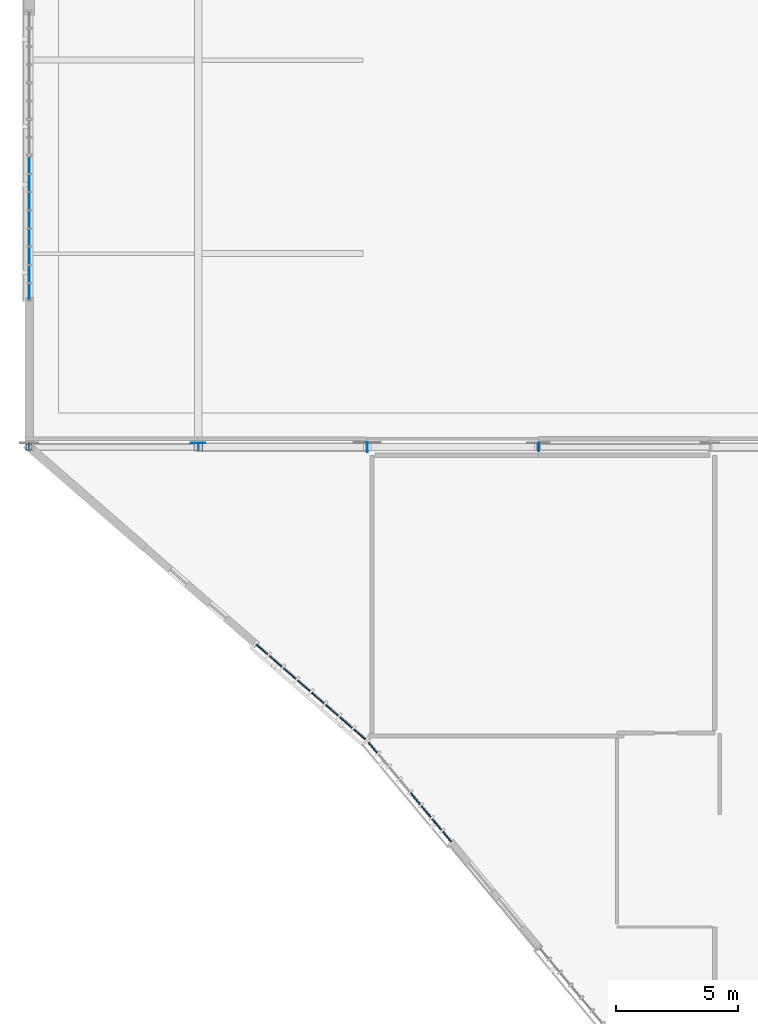
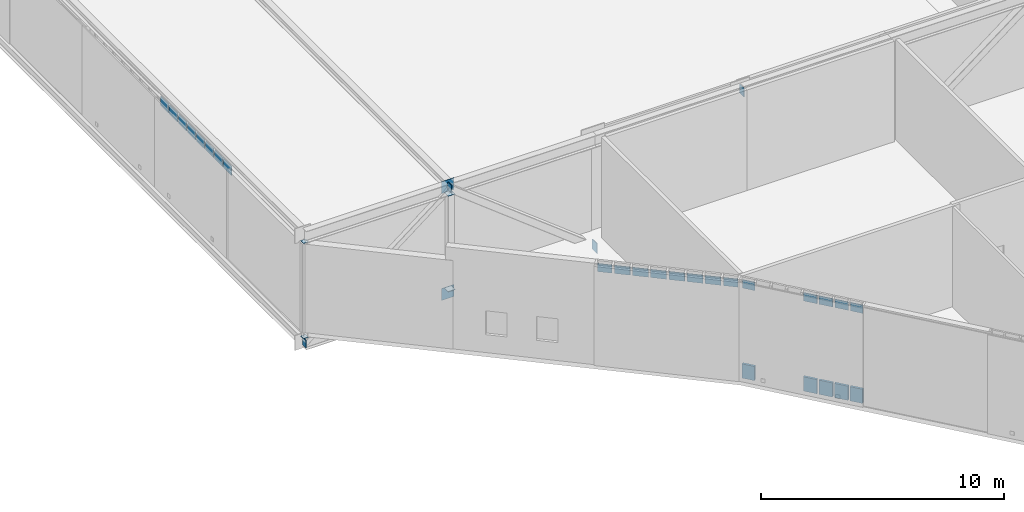
# One storey, part 92 of 135: 36 plates, 3 elements without a shape of their own.
"""IFC4 building model written with IfcOpenShell, lengths in metres."""

from ifc_helpers import new_model, si_unit, direction, frame, origin, origin_2d, place, context, subcontext, project, spatial, rectangle, extrude, material, layer, layer_set, type_object, element, aggregate, save


model = new_model("IFC4")

# Units and contexts
model_context = context("Model", 3, precision=1e-05, world=origin(), true_north=direction((0.0, 1.0)))
body_context = subcontext(model_context, "Body", "Model", "MODEL_VIEW")
ifc_project = project(units=[si_unit("LENGTHUNIT", "METRE"), si_unit("AREAUNIT", "SQUARE_METRE"), si_unit("VOLUMEUNIT", "CUBIC_METRE"), si_unit("PLANEANGLEUNIT", "RADIAN"), si_unit("MASSUNIT", "GRAM", prefix="KILO")], contexts=[model_context])

# Site, building, storey
site_placement = place(None, origin())
site = spatial("IfcSite", under=ifc_project, at=site_placement, CompositionType="ELEMENT")
building_placement = place(site_placement, origin())
building = spatial("IfcBuilding", under=site, at=building_placement, Name="Larkvane Passage Sports Hall", CompositionType="ELEMENT")
storey_placement = place(building_placement, frame((0.0, 0.0, 16.800048828125)))
storey = spatial("IfcBuildingStorey", under=building, at=storey_placement, Name="L03", CompositionType="ELEMENT", Elevation=16.800048828125)

# Curtain wall, plates
ifc_material_1 = material(Name="Thermally broken aluminium and low-E glazing", Category="aluminium")
curtain_wall_type_1 = type_object("IfcCurtainWallType", Name="CW-STICK-FOYER", PredefinedType="USERDEFINED", material=ifc_material_1)
curtain_wall_1_placement = place(storey_placement, origin())
curtain_wall_1 = element("IfcCurtainWall", 1, at=curtain_wall_1_placement, inside=storey, type_object=curtain_wall_type_1, Name="Curtain wall CW5-L03-130", ObjectType="STICK CURTAIN WALL", PredefinedType="USERDEFINED")
ifc_material_2 = material(Name="Fire-stopped shadow-box spandrel panel")
ifc_layer_1 = layer(ifc_material_2, 0.10498046875)
ifc_layer_set_1 = layer_set([ifc_layer_1], Name="Fire-stopped shadow-box spandrel panel")
plate_type_1 = type_object("IfcPlateType", Name="CWP-SPD-105", PredefinedType="CURTAIN_PANEL", material=ifc_layer_set_1)
plate_1_placement = place(storey_placement, frame((17.06689453125, 35.6796875, 0.08984375), z_axis=(0.0, 0.0, 1.0), x_axis=(-0.640184399661, 0.7682212796, 0.0)))
plate_1 = element("IfcPlate", 2, at=plate_1_placement, type_object=plate_type_1, Name="CW-03 panel 1.1", PredefinedType="CURTAIN_PANEL", context=body_context, shape_type="SweptSolid", body=[
    extrude(rectangle(XDim=0.54833984375, YDim=0.10498046875, at=origin_2d()), origin(), (0.0, 0.0, 1.0), 0.715087890625),
])
plate_2_placement = place(storey_placement, frame((16.643798828125, 36.1875, 0.08984375), z_axis=(0.0, 0.0, 1.0), x_axis=(-0.640184399661, 0.7682212796, 0.0)))
plate_2 = element("IfcPlate", 3, at=plate_2_placement, type_object=plate_type_1, Name="CW-03 panel 2.1", PredefinedType="CURTAIN_PANEL", context=body_context, shape_type="SweptSolid", body=[
    extrude(rectangle(XDim=0.593505859375, YDim=0.10498046875, at=origin_2d()), origin(), (0.0, 0.0, 1.0), 0.715087890625),
])
plate_3_placement = place(storey_placement, frame((16.206298828125, 36.71240234375, 0.08984375), z_axis=(0.0, 0.0, 1.0), x_axis=(-0.640184399661, 0.7682212796, 0.0)))
plate_3 = element("IfcPlate", 4, at=plate_3_placement, type_object=plate_type_1, Name="CW-03 panel 3.1", PredefinedType="CURTAIN_PANEL", context=body_context, shape_type="SweptSolid", body=[
    extrude(rectangle(XDim=0.593505859375, YDim=0.10498046875, at=origin_2d()), origin(), (0.0, 0.0, 1.0), 0.715087890625),
])
plate_4_placement = place(storey_placement, frame((15.768798828125, 37.237548828125, 0.08984375), z_axis=(0.0, 0.0, 1.0), x_axis=(-0.640184399661, 0.7682212796, 0.0)))
plate_4 = element("IfcPlate", 5, at=plate_4_placement, type_object=plate_type_1, Name="CW-03 panel 4.1", PredefinedType="CURTAIN_PANEL", context=body_context, shape_type="SweptSolid", body=[
    extrude(rectangle(XDim=0.593505859375, YDim=0.10498046875, at=origin_2d()), origin(), (0.0, 0.0, 1.0), 0.715087890625),
])
plate_5_placement = place(storey_placement, frame((14.033203125, 39.3203125, 0.08984375), z_axis=(0.0, 0.0, 1.0), x_axis=(-0.640184399661, 0.7682212796, 0.0)))
plate_5 = element("IfcPlate", 6, at=plate_5_placement, type_object=plate_type_1, Name="CW-03 panel 8.1", PredefinedType="CURTAIN_PANEL", context=body_context, shape_type="SweptSolid", body=[
    extrude(rectangle(XDim=0.54833984375, YDim=0.10498046875, at=origin_2d()), origin(), (0.0, 0.0, 1.0), 0.715087890625),
])

curtain_wall_type_2 = type_object("IfcCurtainWallType", Name="CW-UNIT-COURT", PredefinedType="USERDEFINED", material=ifc_material_1)
curtain_wall_2_placement = place(storey_placement, origin())
curtain_wall_2 = element("IfcCurtainWall", 7, at=curtain_wall_2_placement, inside=storey, type_object=curtain_wall_type_2, Name="Curtain wall CW5-L03-132", ObjectType="UNITISED CURTAIN WALL", PredefinedType="USERDEFINED")
ifc_material_3 = material(Name="Solar-control low-E double glazing", Category="glass")
ifc_layer_2 = layer(ifc_material_3, 0.028076171875)
ifc_layer_set_2 = layer_set([ifc_layer_2], Name="Solar-control low-E double glazing")
plate_type_2 = type_object("IfcPlateType", Name="CWP-VIS-28", PredefinedType="CURTAIN_PANEL", material=ifc_layer_set_2)
plate_6_placement = place(storey_placement, frame((0.0, 57.936767578125, 4.1279296875), z_axis=(0.0, 0.0, 1.0), x_axis=(0.0, 1.0, 0.0)))
plate_6 = element("IfcPlate", 8, at=plate_6_placement, type_object=plate_type_2, Name="CW-01 panel 1.3", PredefinedType="CURTAIN_PANEL", context=body_context, shape_type="SweptSolid", body=[
    extrude(rectangle(XDim=0.65380859375, YDim=0.028076171875, at=origin_2d()), origin(), (0.0, 0.0, 1.0), 0.4599609375),
])
plate_7_placement = place(storey_placement, frame((0.0, 58.66552734375, 4.1279296875), z_axis=(0.0, 0.0, 1.0), x_axis=(0.0, 1.0, 0.0)))
plate_7 = element("IfcPlate", 9, at=plate_7_placement, type_object=plate_type_2, Name="CW-01 panel 2.3", PredefinedType="CURTAIN_PANEL", context=body_context, shape_type="SweptSolid", body=[
    extrude(rectangle(XDim=0.683837890625, YDim=0.028076171875, at=origin_2d()), origin(), (0.0, 0.0, 1.0), 0.4599609375),
])
plate_8_placement = place(storey_placement, frame((0.0, 59.409423828125, 4.1279296875), z_axis=(0.0, 0.0, 1.0), x_axis=(0.0, 1.0, 0.0)))
plate_8 = element("IfcPlate", 10, at=plate_8_placement, type_object=plate_type_2, Name="CW-01 panel 3.3", PredefinedType="CURTAIN_PANEL", context=body_context, shape_type="SweptSolid", body=[
    extrude(rectangle(XDim=0.683837890625, YDim=0.028076171875, at=origin_2d()), origin(), (0.0, 0.0, 1.0), 0.4599609375),
])
plate_9_placement = place(storey_placement, frame((0.0, 60.153076171875, 4.1279296875), z_axis=(0.0, 0.0, 1.0), x_axis=(0.0, 1.0, 0.0)))
plate_9 = element("IfcPlate", 11, at=plate_9_placement, type_object=plate_type_2, Name="CW-01 panel 4.3", PredefinedType="CURTAIN_PANEL", context=body_context, shape_type="SweptSolid", body=[
    extrude(rectangle(XDim=0.683837890625, YDim=0.028076171875, at=origin_2d()), origin(), (0.0, 0.0, 1.0), 0.4599609375),
])
plate_10_placement = place(storey_placement, frame((0.0, 60.89697265625, 4.1279296875), z_axis=(0.0, 0.0, 1.0), x_axis=(0.0, 1.0, 0.0)))
plate_10 = element("IfcPlate", 12, at=plate_10_placement, type_object=plate_type_2, Name="CW-01 panel 5.3", PredefinedType="CURTAIN_PANEL", context=body_context, shape_type="SweptSolid", body=[
    extrude(rectangle(XDim=0.683837890625, YDim=0.028076171875, at=origin_2d()), origin(), (0.0, 0.0, 1.0), 0.4599609375),
])
plate_11_placement = place(storey_placement, frame((0.0, 61.640625, 4.1279296875), z_axis=(0.0, 0.0, 1.0), x_axis=(0.0, 1.0, 0.0)))
plate_11 = element("IfcPlate", 13, at=plate_11_placement, type_object=plate_type_2, Name="CW-01 panel 6.3", PredefinedType="CURTAIN_PANEL", context=body_context, shape_type="SweptSolid", body=[
    extrude(rectangle(XDim=0.683837890625, YDim=0.028076171875, at=origin_2d()), origin(), (0.0, 0.0, 1.0), 0.4599609375),
])
plate_12_placement = place(storey_placement, frame((0.0, 62.38427734375, 4.1279296875), z_axis=(0.0, 0.0, 1.0), x_axis=(0.0, 1.0, 0.0)))
plate_12 = element("IfcPlate", 14, at=plate_12_placement, type_object=plate_type_2, Name="CW-01 panel 7.3", PredefinedType="CURTAIN_PANEL", context=body_context, shape_type="SweptSolid", body=[
    extrude(rectangle(XDim=0.683837890625, YDim=0.028076171875, at=origin_2d()), origin(), (0.0, 0.0, 1.0), 0.4599609375),
])
plate_13_placement = place(storey_placement, frame((0.0, 63.113037109375, 4.1279296875), z_axis=(0.0, 0.0, 1.0), x_axis=(0.0, 1.0, 0.0)))
plate_13 = element("IfcPlate", 15, at=plate_13_placement, type_object=plate_type_2, Name="CW-01 panel 8.3", PredefinedType="CURTAIN_PANEL", context=body_context, shape_type="SweptSolid", body=[
    extrude(rectangle(XDim=0.65380859375, YDim=0.028076171875, at=origin_2d()), origin(), (0.0, 0.0, 1.0), 0.4599609375),
])
aggregate(curtain_wall_2, [plate_6, plate_7, plate_8, plate_9, plate_10, plate_11, plate_12, plate_13])

# Plate
ifc_material_4 = material(Name="High-impact court low-E glazing", Category="glass")
ifc_layer_3 = layer(ifc_material_4, 0.035888671875)
ifc_layer_set_3 = layer_set([ifc_layer_3], Name="High-impact court low-E glazing")
plate_type_3 = type_object("IfcPlateType", Name="CWP-VIS-36", PredefinedType="CURTAIN_PANEL", material=ifc_layer_set_3)
plate_14_placement = place(storey_placement, frame((17.06689453125, 35.6796875, 4.594970703125), z_axis=(0.0, 0.0, 1.0), x_axis=(-0.640184399661, 0.7682212796, 0.0)))
plate_14 = element("IfcPlate", 16, at=plate_14_placement, type_object=plate_type_3, Name="CW-03 panel 1.3", PredefinedType="CURTAIN_PANEL", context=body_context, shape_type="SweptSolid", body=[
    extrude(rectangle(XDim=0.54833984375, YDim=0.035888671875, at=origin_2d()), origin(), (0.0, 0.0, 1.0), 0.4150390625),
])

plate_15_placement = place(storey_placement, frame((16.643798828125, 36.1875, 4.594970703125), z_axis=(0.0, 0.0, 1.0), x_axis=(-0.640184399661, 0.7682212796, 0.0)))
plate_15 = element("IfcPlate", 17, at=plate_15_placement, type_object=plate_type_3, Name="CW-03 panel 2.3", PredefinedType="CURTAIN_PANEL", context=body_context, shape_type="SweptSolid", body=[
    extrude(rectangle(XDim=0.593505859375, YDim=0.035888671875, at=origin_2d()), origin(), (0.0, 0.0, 1.0), 0.4150390625),
])

plate_16_placement = place(storey_placement, frame((16.206298828125, 36.71240234375, 4.594970703125), z_axis=(0.0, 0.0, 1.0), x_axis=(-0.640184399661, 0.7682212796, 0.0)))
plate_16 = element("IfcPlate", 18, at=plate_16_placement, type_object=plate_type_3, Name="CW-03 panel 3.3", PredefinedType="CURTAIN_PANEL", context=body_context, shape_type="SweptSolid", body=[
    extrude(rectangle(XDim=0.593505859375, YDim=0.035888671875, at=origin_2d()), origin(), (0.0, 0.0, 1.0), 0.4150390625),
])

plate_17_placement = place(storey_placement, frame((15.768798828125, 37.237548828125, 4.594970703125), z_axis=(0.0, 0.0, 1.0), x_axis=(-0.640184399661, 0.7682212796, 0.0)))
plate_17 = element("IfcPlate", 19, at=plate_17_placement, type_object=plate_type_3, Name="CW-03 panel 4.3", PredefinedType="CURTAIN_PANEL", context=body_context, shape_type="SweptSolid", body=[
    extrude(rectangle(XDim=0.593505859375, YDim=0.035888671875, at=origin_2d()), origin(), (0.0, 0.0, 1.0), 0.4150390625),
])

plate_18_placement = place(storey_placement, frame((14.033203125, 39.3203125, 4.594970703125), z_axis=(0.0, 0.0, 1.0), x_axis=(-0.640184399661, 0.7682212796, 0.0)))
plate_18 = element("IfcPlate", 20, at=plate_18_placement, type_object=plate_type_3, Name="CW-03 panel 8.3", PredefinedType="CURTAIN_PANEL", context=body_context, shape_type="SweptSolid", body=[
    extrude(rectangle(XDim=0.54833984375, YDim=0.035888671875, at=origin_2d()), origin(), (0.0, 0.0, 1.0), 0.4150390625),
])

aggregate(curtain_wall_1, [plate_1, plate_14, plate_2, plate_15, plate_3, plate_16, plate_4, plate_17, plate_5, plate_18])

# Curtain wall, plates
curtain_wall_type_3 = type_object("IfcCurtainWallType", Name="CW-CLINIC", PredefinedType="USERDEFINED", material=ifc_material_1)
curtain_wall_3_placement = place(storey_placement, origin())
curtain_wall_3 = element("IfcCurtainWall", 21, at=curtain_wall_3_placement, inside=storey, type_object=curtain_wall_type_3, Name="Curtain wall CW5-L03-131", ObjectType="UNITISED CURTAIN WALL", PredefinedType="USERDEFINED")
ifc_material_5 = material(Name="Triple-laminated typhoon glazing", Category="glass")
ifc_layer_4 = layer(ifc_material_5, 0.0419921875)
ifc_layer_set_4 = layer_set([ifc_layer_4], Name="Triple-laminated typhoon glazing")
plate_type_4 = type_object("IfcPlateType", Name="CWP-VIS-42", PredefinedType="CURTAIN_PANEL", material=ifc_layer_set_4)
plate_19_placement = place(storey_placement, frame((13.49365234375, 39.866455078125, 4.60009765625), z_axis=(0.0, 0.0, 1.0), x_axis=(-0.754605522159, 0.65617871493, 0.0)))
plate_19 = element("IfcPlate", 22, at=plate_19_placement, type_object=plate_type_4, Name="CW-05 panel 1.3", PredefinedType="CURTAIN_PANEL", context=body_context, shape_type="SweptSolid", body=[
    extrude(rectangle(XDim=0.612060546875, YDim=0.0419921875, at=origin_2d()), origin(), (0.0, 0.0, 1.0), 0.39990234375),
])
plate_20_placement = place(storey_placement, frame((12.9375, 40.35009765625, 4.60009765625), z_axis=(0.0, 0.0, 1.0), x_axis=(-0.754605522159, 0.65617871493, 0.0)))
plate_20 = element("IfcPlate", 23, at=plate_20_placement, type_object=plate_type_4, Name="CW-05 panel 2.3", PredefinedType="CURTAIN_PANEL", context=body_context, shape_type="SweptSolid", body=[
    extrude(rectangle(XDim=0.662109375, YDim=0.0419921875, at=origin_2d()), origin(), (0.0, 0.0, 1.0), 0.39990234375),
])
plate_21_placement = place(storey_placement, frame((12.362548828125, 40.85009765625, 4.60009765625), z_axis=(0.0, 0.0, 1.0), x_axis=(-0.754605522159, 0.65617871493, 0.0)))
plate_21 = element("IfcPlate", 24, at=plate_21_placement, type_object=plate_type_4, Name="CW-05 panel 3.3", PredefinedType="CURTAIN_PANEL", context=body_context, shape_type="SweptSolid", body=[
    extrude(rectangle(XDim=0.662109375, YDim=0.0419921875, at=origin_2d()), origin(), (0.0, 0.0, 1.0), 0.39990234375),
])
plate_22_placement = place(storey_placement, frame((11.78759765625, 41.35009765625, 4.60009765625), z_axis=(0.0, 0.0, 1.0), x_axis=(-0.754605522159, 0.65617871493, 0.0)))
plate_22 = element("IfcPlate", 25, at=plate_22_placement, type_object=plate_type_4, Name="CW-05 panel 4.3", PredefinedType="CURTAIN_PANEL", context=body_context, shape_type="SweptSolid", body=[
    extrude(rectangle(XDim=0.662109375, YDim=0.0419921875, at=origin_2d()), origin(), (0.0, 0.0, 1.0), 0.39990234375),
])
plate_23_placement = place(storey_placement, frame((11.21240234375, 41.85009765625, 4.60009765625), z_axis=(0.0, 0.0, 1.0), x_axis=(-0.754605522159, 0.65617871493, 0.0)))
plate_23 = element("IfcPlate", 26, at=plate_23_placement, type_object=plate_type_4, Name="CW-05 panel 5.3", PredefinedType="CURTAIN_PANEL", context=body_context, shape_type="SweptSolid", body=[
    extrude(rectangle(XDim=0.662109375, YDim=0.0419921875, at=origin_2d()), origin(), (0.0, 0.0, 1.0), 0.39990234375),
])
plate_24_placement = place(storey_placement, frame((10.637451171875, 42.35009765625, 4.60009765625), z_axis=(0.0, 0.0, 1.0), x_axis=(-0.754605522159, 0.65617871493, 0.0)))
plate_24 = element("IfcPlate", 27, at=plate_24_placement, type_object=plate_type_4, Name="CW-05 panel 6.3", PredefinedType="CURTAIN_PANEL", context=body_context, shape_type="SweptSolid", body=[
    extrude(rectangle(XDim=0.662109375, YDim=0.0419921875, at=origin_2d()), origin(), (0.0, 0.0, 1.0), 0.39990234375),
])
plate_25_placement = place(storey_placement, frame((10.0625, 42.85009765625, 4.60009765625), z_axis=(0.0, 0.0, 1.0), x_axis=(-0.754605522159, 0.65617871493, 0.0)))
plate_25 = element("IfcPlate", 28, at=plate_25_placement, type_object=plate_type_4, Name="CW-05 panel 7.3", PredefinedType="CURTAIN_PANEL", context=body_context, shape_type="SweptSolid", body=[
    extrude(rectangle(XDim=0.662109375, YDim=0.0419921875, at=origin_2d()), origin(), (0.0, 0.0, 1.0), 0.39990234375),
])
plate_26_placement = place(storey_placement, frame((9.50634765625, 43.33349609375, 4.60009765625), z_axis=(0.0, 0.0, 1.0), x_axis=(-0.754605522159, 0.65617871493, 0.0)))
plate_26 = element("IfcPlate", 29, at=plate_26_placement, type_object=plate_type_4, Name="CW-05 panel 8.3", PredefinedType="CURTAIN_PANEL", context=body_context, shape_type="SweptSolid", body=[
    extrude(rectangle(XDim=0.612060546875, YDim=0.0419921875, at=origin_2d()), origin(), (0.0, 0.0, 1.0), 0.39990234375),
])
aggregate(curtain_wall_3, [plate_19, plate_20, plate_21, plate_22, plate_23, plate_24, plate_25, plate_26])

# Plates
ifc_material_6 = material(Name="Steel S355JR", Category="steel")
ifc_layer_5 = layer(ifc_material_6, 0.011962890625)
ifc_layer_set_5 = layer_set([ifc_layer_5], Name="Steel S355JR")
plate_type_5 = type_object("IfcPlateType", Name="PLT-CAP-12", PredefinedType="SHEET", material=ifc_layer_set_5)
for number, where, z_axis, x_axis, name in (
    (30, (-0.004638671875, 51.60009765625, -0.80615234375), (0.0, 0.0, 1.0), (0.0, 1.0, 0.0), "Hollow section sealed end cap plate 0107"),
    (31, (6.90478515625, 51.60009765625, 4.5712890625), (0.0, 0.0, 1.0), (0.0, 1.0, 0.0), "Hollow section sealed end cap plate 0108"),
):
    element("IfcPlate", number, at=place(storey_placement, frame(where, z_axis=z_axis, x_axis=x_axis)), inside=storey, type_object=plate_type_5, Name=name, PredefinedType="SHEET", context=body_context, shape_type="SweptSolid", body=[
        extrude(rectangle(XDim=0.31005859375, YDim=0.028076171875, at=origin_2d()), origin(), (0.0, 0.0, 1.0), 0.376953125),
    ])
for number, where, z_axis, x_axis, name in (
    (32, (0.0, 51.60009765625, -0.33203125), (0.0, 0.0, 1.0), (1.0, 0.0, 0.0), "Hollow section sealed end cap plate 0113"),
    (33, (0.0, 51.60009765625, 4.4619140625), (0.0, 0.0, 1.0), (1.0, 0.0, 0.0), "Hollow section sealed end cap plate 0114"),
):
    element("IfcPlate", number, at=place(storey_placement, frame(where, z_axis=z_axis, x_axis=x_axis)), inside=storey, type_object=plate_type_5, Name=name, PredefinedType="SHEET", context=body_context, shape_type="SweptSolid", body=[
        extrude(rectangle(XDim=0.239990234375, YDim=0.239990234375, at=origin_2d()), origin(), (0.0, 0.0, 1.0), 0.011962890625),
    ])
ifc_material_7 = material(Name="Steel S460N", Category="steel")
ifc_layer_6 = layer(ifc_material_7, 0.02001953125)
ifc_layer_set_6 = layer_set([ifc_layer_6], Name="Steel S460N")
plate_type_6 = type_object("IfcPlateType", Name="PLT-CAP-20", PredefinedType="SHEET", material=ifc_layer_set_6)
plate_27_placement = place(storey_placement, frame((13.807861328125, 51.60009765625, -0.8720703125), z_axis=(0.0, 0.0, 1.0), x_axis=(0.0, 1.0, 0.0)))
element("IfcPlate", 34, at=plate_27_placement, inside=storey, type_object=plate_type_6, Name="Hollow section sealed end cap plate 0109", PredefinedType="SHEET", context=body_context, shape_type="SweptSolid", body=[
    extrude(rectangle(XDim=0.409912109375, YDim=0.028076171875, at=origin_2d()), origin(), (0.0, 0.0, 1.0), 0.50390625),
])
plate_28_placement = place(storey_placement, frame((20.807861328125, 51.60009765625, 4.54296875), z_axis=(0.0, 0.0, 1.0), x_axis=(0.0, 1.0, 0.0)))
element("IfcPlate", 35, at=plate_28_placement, inside=storey, type_object=plate_type_6, Name="Hollow section sealed end cap plate 0110", PredefinedType="SHEET", context=body_context, shape_type="SweptSolid", body=[
    extrude(rectangle(XDim=0.360107421875, YDim=0.028076171875, at=origin_2d()), origin(), (0.0, 0.0, 1.0), 0.43798828125),
])
for number, where, z_axis, x_axis, name in (
    (36, (6.89990234375, 51.60009765625, -0.340087890625), (0.0, 0.0, 1.0), (1.0, 0.0, 0.0), "Hollow section sealed end cap plate 0115"),
    (37, (6.89990234375, 51.60009765625, 4.4619140625), (0.0, 0.0, 1.0), (1.0, 0.0, 0.0), "Hollow section sealed end cap plate 0116"),
):
    element("IfcPlate", number, at=place(storey_placement, frame(where, z_axis=z_axis, x_axis=x_axis)), inside=storey, type_object=plate_type_6, Name=name, PredefinedType="SHEET", context=body_context, shape_type="SweptSolid", body=[
        extrude(rectangle(XDim=0.340087890625, YDim=0.340087890625, at=origin_2d()), origin(), (0.0, 0.0, 1.0), 0.02001953125),
    ])
ifc_layer_7 = layer(ifc_material_7, 0.01611328125)
ifc_layer_set_7 = layer_set([ifc_layer_7], Name="Steel S460N")
plate_type_7 = type_object("IfcPlateType", Name="PLT-GUS-16", PredefinedType="USERDEFINED", material=ifc_layer_set_7)
for number, where, z_axis, x_axis, name in (
    (38, (6.89990234375, 51.758056640625, -0.9140625), (0.0, 0.0, 1.0), (1.0, 0.0, 0.0), "Truss node gusset plate ND-2B (CT-W3A-1)"),
    (39, (6.89990234375, 51.758056640625, 4.455810546875), (0.0, 0.0, 1.0), (1.0, 0.0, 0.0), "Truss node gusset plate ND-2T (CT-W3A-1)"),
):
    element("IfcPlate", number, at=place(storey_placement, frame(where, z_axis=z_axis, x_axis=x_axis)), inside=storey, type_object=plate_type_7, Name=name, ObjectType="GUSSET PLATE", PredefinedType="USERDEFINED", context=body_context, shape_type="SweptSolid", body=[
        extrude(rectangle(XDim=0.60009765625, YDim=0.01611328125, at=origin_2d()), origin(), (0.0, 0.0, 1.0), 0.60009765625),
    ])

save(model, "model.ifc")
